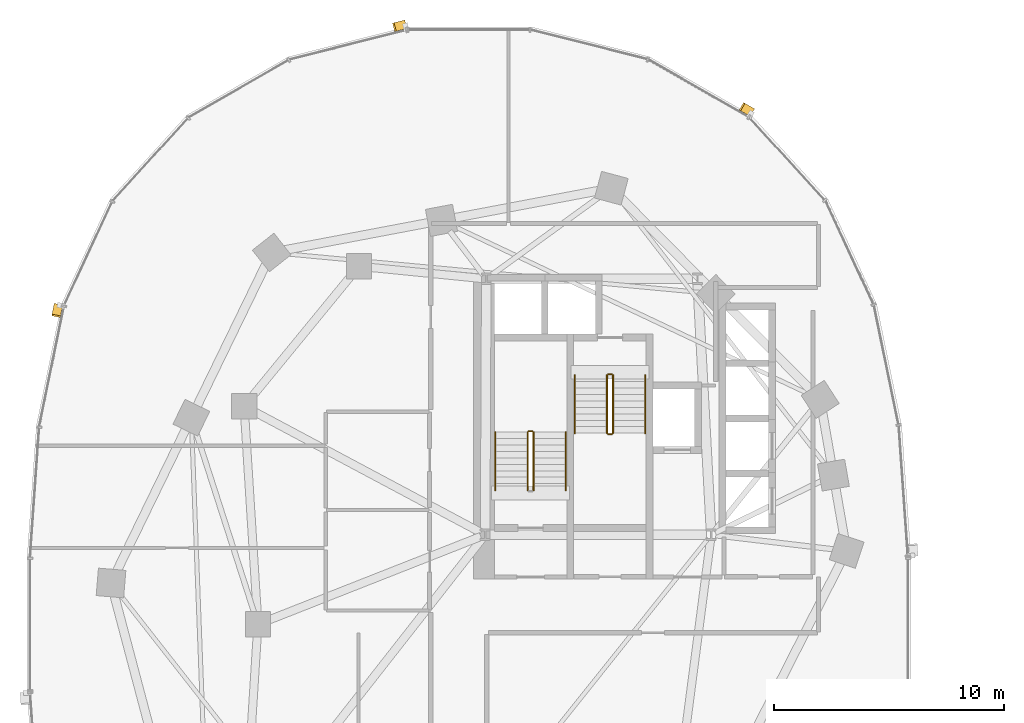
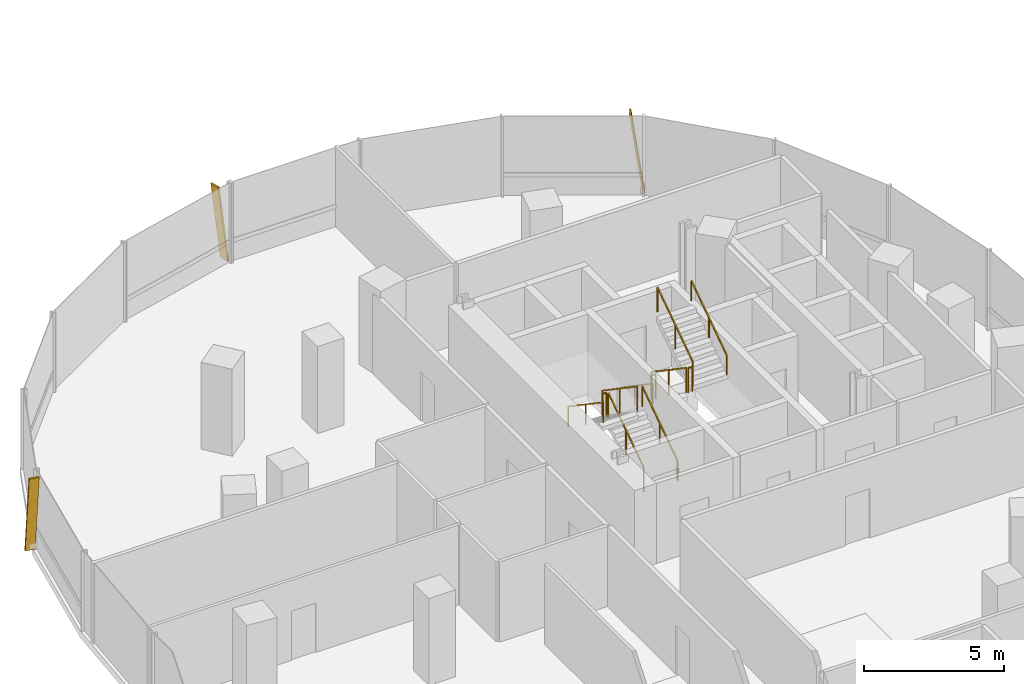
# One storey, part 19 of 21: 11 railings, 3 shading devices.
"""IFC4 building model written with IfcOpenShell, lengths in metres."""

from ifc_helpers import new_model, si_unit, direction, frame, origin, origin_2d, place, context, subcontext, project, spatial, rectangle, extrude, material, material_profile, profile_set, type_object, element, save


model = new_model("IFC4")

# Units and contexts
model_context = context("Model", 3, precision=1e-05, world=origin(), true_north=direction((0.0, 1.0)))
body_context = subcontext(model_context, "Body", "Model", "MODEL_VIEW")
ifc_project = project(units=[si_unit("LENGTHUNIT", "METRE"), si_unit("AREAUNIT", "SQUARE_METRE"), si_unit("VOLUMEUNIT", "CUBIC_METRE"), si_unit("PLANEANGLEUNIT", "RADIAN"), si_unit("MASSUNIT", "GRAM", prefix="KILO"), si_unit("THERMODYNAMICTEMPERATUREUNIT", "KELVIN"), si_unit("POWERUNIT", "WATT")], contexts=[model_context])

# Site, building, storey
site_placement = place(None, origin())
site = spatial("IfcSite", under=ifc_project, at=site_placement, CompositionType="ELEMENT")
building_placement = place(site_placement, origin())
building = spatial("IfcBuilding", under=site, at=building_placement, Name="Cundina Bronze Exchange", CompositionType="ELEMENT")
storey_placement = place(building_placement, frame((0.0, 0.0, 46.800048828125)))
storey = spatial("IfcBuildingStorey", under=building, at=storey_placement, Name="L11", CompositionType="ELEMENT", Elevation=46.800048828125)

# Railings
ifc_material_1 = material(Name="Steel ASTM A36 Painted", Category="steel")
railing_type_1 = type_object("IfcRailingType", Name="RLG-HND-900", PredefinedType="HANDRAIL", material=ifc_material_1)
railing_1_placement = place(storey_placement, frame((-27.7900390625, 5.85009765625, 0.18994140625)))
element("IfcRailing", 1, at=railing_1_placement, inside=storey, type_object=railing_type_1, Name="L11 ST-W1 stair handrail 1", PredefinedType="HANDRAIL", context=body_context, shape_type="SweptSolid", body=[
    extrude(rectangle(XDim=0.048095703125, YDim=0.048095703125, at=origin_2d()), frame((0.0, 0.0, 0.8759765625), z_axis=(0.0, 0.827483756001, 0.561489655786), x_axis=(-1.0, 0.0, 0.0)), (0.0, 0.0, 1.0), 3.04541015625),
    extrude(rectangle(XDim=0.0419921875, YDim=0.0419921875, at=origin_2d()), origin(), (0.0, 0.0, 1.0), 0.851806640625),
    extrude(rectangle(XDim=0.0419921875, YDim=0.0419921875, at=origin_2d()), frame((0.0, 1.260009765625, 0.85498046875)), (0.0, 0.0, 1.0), 0.851806640625),
    extrude(rectangle(XDim=0.0419921875, YDim=0.0419921875, at=origin_2d()), frame((0.0, 2.52001953125, 1.7099609375)), (0.0, 0.0, 1.0), 0.851806640625),
])
railing_2_placement = place(storey_placement, frame((-30.85009765625, 8.3701171875, 2.08984375)))
element("IfcRailing", 2, at=railing_2_placement, inside=storey, type_object=railing_type_1, Name="L11 ST-W1 stair handrail 2", PredefinedType="HANDRAIL", context=body_context, shape_type="SweptSolid", body=[
    extrude(rectangle(XDim=0.048095703125, YDim=0.048095703125, at=origin_2d()), frame((0.0, 0.0, 0.8759765625), z_axis=(0.0, -0.82744650838, 0.561544544778), x_axis=(1.0, 0.0, 0.0)), (0.0, 0.0, 1.0), 3.045654296875),
    extrude(rectangle(XDim=0.0419921875, YDim=0.0419921875, at=origin_2d()), origin(), (0.0, 0.0, 1.0), 0.851806640625),
    extrude(rectangle(XDim=0.0419921875, YDim=0.0419921875, at=origin_2d()), frame((0.0, -1.260009765625, 0.85498046875)), (0.0, 0.0, 1.0), 0.851806640625),
    extrude(rectangle(XDim=0.0419921875, YDim=0.0419921875, at=origin_2d()), frame((0.0, -2.52001953125, 1.710205078125)), (0.0, 0.0, 1.0), 0.851806640625),
])
railing_3_placement = place(storey_placement, frame((-27.389892578125, 10.85009765625, 0.18994140625)))
element("IfcRailing", 3, at=railing_3_placement, inside=storey, type_object=railing_type_1, Name="L11 ST-W2 stair handrail 1", PredefinedType="HANDRAIL", context=body_context, shape_type="SweptSolid", body=[
    extrude(rectangle(XDim=0.048095703125, YDim=0.048095703125, at=origin_2d()), frame((0.0, 0.0, 0.8759765625), z_axis=(0.0, -0.827483756001, 0.561489655786), x_axis=(1.0, 0.0, 0.0)), (0.0, 0.0, 1.0), 3.04541015625),
    extrude(rectangle(XDim=0.0419921875, YDim=0.0419921875, at=origin_2d()), origin(), (0.0, 0.0, 1.0), 0.851806640625),
    extrude(rectangle(XDim=0.0419921875, YDim=0.0419921875, at=origin_2d()), frame((0.0, -1.260009765625, 0.85498046875)), (0.0, 0.0, 1.0), 0.851806640625),
    extrude(rectangle(XDim=0.0419921875, YDim=0.0419921875, at=origin_2d()), frame((0.0, -2.52001953125, 1.7099609375)), (0.0, 0.0, 1.0), 0.851806640625),
])
railing_4_placement = place(storey_placement, frame((-24.330078125, 8.330078125, 2.08984375)))
element("IfcRailing", 4, at=railing_4_placement, inside=storey, type_object=railing_type_1, Name="L11 ST-W2 stair handrail 2", PredefinedType="HANDRAIL", context=body_context, shape_type="SweptSolid", body=[
    extrude(rectangle(XDim=0.048095703125, YDim=0.048095703125, at=origin_2d()), frame((0.0, 0.0, 0.8759765625), z_axis=(0.0, 0.82744650838, 0.561544544778), x_axis=(-1.0, 0.0, 0.0)), (0.0, 0.0, 1.0), 3.045654296875),
    extrude(rectangle(XDim=0.0419921875, YDim=0.0419921875, at=origin_2d()), origin(), (0.0, 0.0, 1.0), 0.851806640625),
    extrude(rectangle(XDim=0.0419921875, YDim=0.0419921875, at=origin_2d()), frame((0.0, 1.260009765625, 0.85498046875)), (0.0, 0.0, 1.0), 0.851806640625),
    extrude(rectangle(XDim=0.0419921875, YDim=0.0419921875, at=origin_2d()), frame((0.0, 2.52001953125, 1.710205078125)), (0.0, 0.0, 1.0), 0.851806640625),
])
railing_type_2 = type_object("IfcRailingType", Name="RLG-STG-1100", PredefinedType="GUARDRAIL", material=ifc_material_1)
railing_5_placement = place(storey_placement, frame((-29.18994140625, 5.85009765625, 0.18994140625)))
element("IfcRailing", 5, at=railing_5_placement, inside=storey, type_object=railing_type_2, Name="L11 ST-W1 stair guard 1", PredefinedType="GUARDRAIL", context=body_context, shape_type="SweptSolid", body=[
    extrude(rectangle(XDim=0.048095703125, YDim=0.048095703125, at=origin_2d()), frame((0.0, 0.0, 1.076171875), z_axis=(0.0, 0.827483756001, 0.561489655786), x_axis=(-1.0, 0.0, 0.0)), (0.0, 0.0, 1.0), 3.04541015625),
    extrude(rectangle(XDim=0.0419921875, YDim=0.0419921875, at=origin_2d()), origin(), (0.0, 0.0, 1.0), 1.052001953125),
    extrude(rectangle(XDim=0.0419921875, YDim=0.0419921875, at=origin_2d()), frame((0.0, 1.260009765625, 0.85498046875)), (0.0, 0.0, 1.0), 1.052001953125),
    extrude(rectangle(XDim=0.0419921875, YDim=0.0419921875, at=origin_2d()), frame((0.0, 2.52001953125, 1.7099609375)), (0.0, 0.0, 1.0), 1.052001953125),
])
railing_6_placement = place(storey_placement, frame((-29.239990234375, 8.419921875, 1.89990234375)))
element("IfcRailing", 6, at=railing_6_placement, inside=storey, type_object=railing_type_2, Name="L11 ST-W1 stair guard 2", PredefinedType="GUARDRAIL", context=body_context, shape_type="SweptSolid", body=[
    extrude(rectangle(XDim=0.048095703125, YDim=0.048095703125, at=origin_2d()), frame((0.0, 0.0, 1.076171875), z_axis=(-1.0, 0.0, 0.0), x_axis=(0.0, -1.0, 0.0)), (0.0, 0.0, 1.0), 0.159912109375),
    extrude(rectangle(XDim=0.0419921875, YDim=0.0419921875, at=origin_2d()), origin(), (0.0, 0.0, 1.0), 1.052001953125),
    extrude(rectangle(XDim=0.0419921875, YDim=0.0419921875, at=origin_2d()), frame((-0.159912109375, 0.0, 0.0)), (0.0, 0.0, 1.0), 1.052001953125),
])
railing_7_placement = place(storey_placement, frame((-29.449951171875, 8.3701171875, 2.08984375)))
element("IfcRailing", 7, at=railing_7_placement, inside=storey, type_object=railing_type_2, Name="L11 ST-W1 stair guard 3", PredefinedType="GUARDRAIL", context=body_context, shape_type="SweptSolid", body=[
    extrude(rectangle(XDim=0.048095703125, YDim=0.048095703125, at=origin_2d()), frame((0.0, 0.0, 1.076171875), z_axis=(0.0, -0.82744650838, 0.561544544778), x_axis=(1.0, 0.0, 0.0)), (0.0, 0.0, 1.0), 3.045654296875),
    extrude(rectangle(XDim=0.0419921875, YDim=0.0419921875, at=origin_2d()), origin(), (0.0, 0.0, 1.0), 1.052001953125),
    extrude(rectangle(XDim=0.0419921875, YDim=0.0419921875, at=origin_2d()), frame((0.0, -1.260009765625, 0.85498046875)), (0.0, 0.0, 1.0), 1.052001953125),
    extrude(rectangle(XDim=0.0419921875, YDim=0.0419921875, at=origin_2d()), frame((0.0, -2.52001953125, 1.710205078125)), (0.0, 0.0, 1.0), 1.052001953125),
])
railing_8_placement = place(storey_placement, frame((-25.989990234375, 10.85009765625, 0.18994140625)))
element("IfcRailing", 8, at=railing_8_placement, inside=storey, type_object=railing_type_2, Name="L11 ST-W2 stair guard 1", PredefinedType="GUARDRAIL", context=body_context, shape_type="SweptSolid", body=[
    extrude(rectangle(XDim=0.048095703125, YDim=0.048095703125, at=origin_2d()), frame((0.0, 0.0, 1.076171875), z_axis=(0.0, -0.827483756001, 0.561489655786), x_axis=(1.0, 0.0, 0.0)), (0.0, 0.0, 1.0), 3.04541015625),
    extrude(rectangle(XDim=0.0419921875, YDim=0.0419921875, at=origin_2d()), origin(), (0.0, 0.0, 1.0), 1.052001953125),
    extrude(rectangle(XDim=0.0419921875, YDim=0.0419921875, at=origin_2d()), frame((0.0, -1.260009765625, 0.85498046875)), (0.0, 0.0, 1.0), 1.052001953125),
    extrude(rectangle(XDim=0.0419921875, YDim=0.0419921875, at=origin_2d()), frame((0.0, -2.52001953125, 1.7099609375)), (0.0, 0.0, 1.0), 1.052001953125),
])
railing_9_placement = place(storey_placement, frame((-25.93994140625, 8.280029296875, 1.89990234375)))
element("IfcRailing", 9, at=railing_9_placement, inside=storey, type_object=railing_type_2, Name="L11 ST-W2 stair guard 2", PredefinedType="GUARDRAIL", context=body_context, shape_type="SweptSolid", body=[
    extrude(rectangle(XDim=0.048095703125, YDim=0.048095703125, at=origin_2d()), frame((0.0, 0.0, 1.076171875), z_axis=(1.0, 0.0, 0.0), x_axis=(0.0, 1.0, 0.0)), (0.0, 0.0, 1.0), 0.159912109375),
    extrude(rectangle(XDim=0.0419921875, YDim=0.0419921875, at=origin_2d()), origin(), (0.0, 0.0, 1.0), 1.052001953125),
    extrude(rectangle(XDim=0.0419921875, YDim=0.0419921875, at=origin_2d()), frame((0.159912109375, 0.0, 0.0)), (0.0, 0.0, 1.0), 1.052001953125),
])
railing_10_placement = place(storey_placement, frame((-25.72998046875, 8.330078125, 2.08984375)))
element("IfcRailing", 10, at=railing_10_placement, inside=storey, type_object=railing_type_2, Name="L11 ST-W2 stair guard 3", PredefinedType="GUARDRAIL", context=body_context, shape_type="SweptSolid", body=[
    extrude(rectangle(XDim=0.048095703125, YDim=0.048095703125, at=origin_2d()), frame((0.0, 0.0, 1.076171875), z_axis=(0.0, 0.82744650838, 0.561544544778), x_axis=(-1.0, 0.0, 0.0)), (0.0, 0.0, 1.0), 3.045654296875),
    extrude(rectangle(XDim=0.0419921875, YDim=0.0419921875, at=origin_2d()), origin(), (0.0, 0.0, 1.0), 1.052001953125),
    extrude(rectangle(XDim=0.0419921875, YDim=0.0419921875, at=origin_2d()), frame((0.0, 1.260009765625, 0.85498046875)), (0.0, 0.0, 1.0), 1.052001953125),
    extrude(rectangle(XDim=0.0419921875, YDim=0.0419921875, at=origin_2d()), frame((0.0, 2.52001953125, 1.710205078125)), (0.0, 0.0, 1.0), 1.052001953125),
])
railing_11_placement = place(storey_placement, frame((-25.93994140625, 10.89990234375, 0.0)))
element("IfcRailing", 11, at=railing_11_placement, inside=storey, type_object=railing_type_2, Name="L11 ST-W2 stair guard 4", PredefinedType="GUARDRAIL", context=body_context, shape_type="SweptSolid", body=[
    extrude(rectangle(XDim=0.048095703125, YDim=0.048095703125, at=origin_2d()), frame((0.0, 0.0, 1.076171875), z_axis=(1.0, 0.0, 0.0), x_axis=(0.0, 1.0, 0.0)), (0.0, 0.0, 1.0), 0.159912109375),
    extrude(rectangle(XDim=0.0419921875, YDim=0.0419921875, at=origin_2d()), origin(), (0.0, 0.0, 1.0), 1.052001953125),
    extrude(rectangle(XDim=0.0419921875, YDim=0.0419921875, at=origin_2d()), frame((0.159912109375, 0.0, 0.0)), (0.0, 0.0, 1.0), 1.052001953125),
])

# Shading devices
ifc_material_2 = material(Name="Anodised Bronze Aluminium 6063-T6", Category="aluminium")
ifc_material_profile = material_profile(ifc_material_2, rectangle(XDim=0.070068359375, YDim=0.3798828125, at=origin_2d()), Name="FIN70X380", Category="aluminium")
ifc_profile_set = profile_set([ifc_material_profile], Name="Anodised Bronze Aluminium 6063-T6")
shading_device_type = type_object("IfcShadingDeviceType", Name="SHD-FIN-BRZ380", PredefinedType="USERDEFINED", material=ifc_profile_set)
for number, where, z_axis, x_axis, name in (
    (12, (-19.685791015625, 22.314208984375, 0.02001953125), (-0.119166378275, 0.06842456559, 0.990513731915), (0.85898178632, -0.493221799887, 0.137413779831), "L11 Diagonal Bronze Solar Fin 5"),
    (13, (-34.787353515625, 26.138427734375, 0.02001953125), (-0.133214830938, -0.033688115694, 0.990514472221), (0.960284642503, 0.242842181368, 0.137408443412), "L11 Diagonal Bronze Solar Fin 1"),
    (14, (-49.89599609375, 13.911865234375, 0.02001953125), (-0.027747134956, -0.134612045151, 0.990509815096), (0.199966585563, 0.970114971774, 0.137442010309), "L11 Diagonal Bronze Solar Fin 5"),
):
    element("IfcShadingDevice", number, at=place(storey_placement, frame(where, z_axis=z_axis, x_axis=x_axis)), inside=storey, type_object=shading_device_type, Name=name, ObjectType="FIN", PredefinedType="USERDEFINED", context=body_context, shape_type="SweptSolid", body=[
        extrude(rectangle(XDim=0.070068359375, YDim=0.3798828125, at=origin_2d()), origin(), (0.0, 0.0, 1.0), 3.4931640625),
    ])

save(model, "model.ifc")
